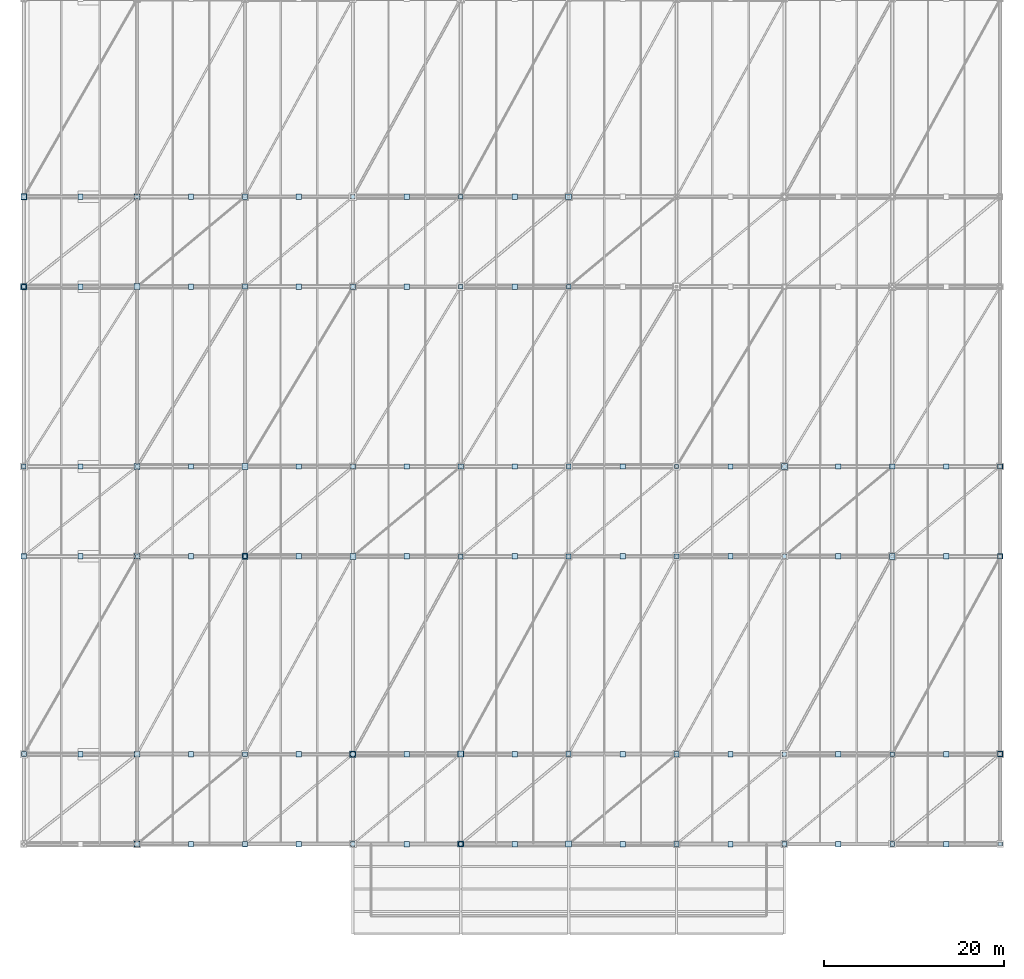
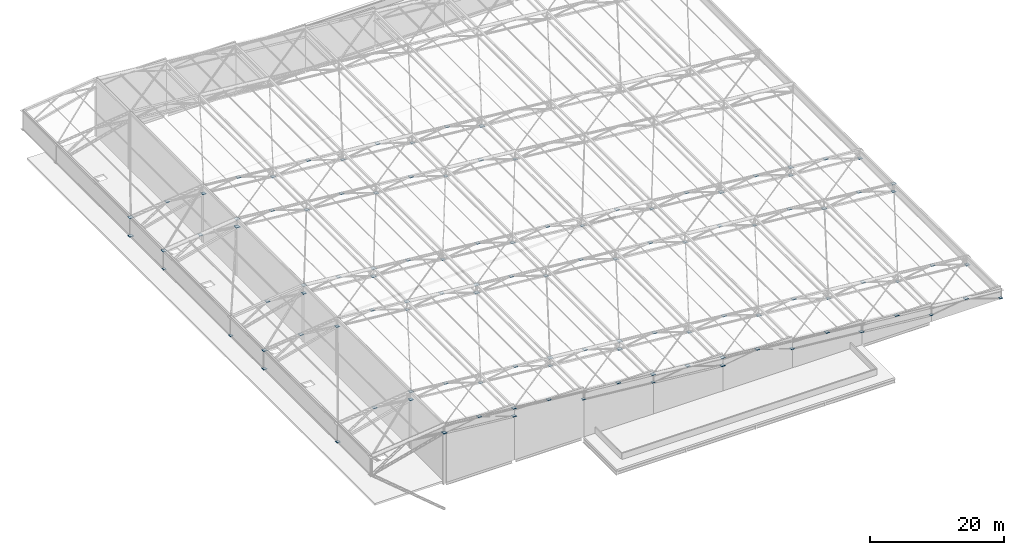
# One storey, part 41 of 44: 122 plates.
"""IFC4 building model written with IfcOpenShell, lengths in metres."""

import ifcopenshell
import ifcopenshell.guid

model = None  # the IFC model being written
_history = None  # IfcOwnerHistory: only IFC2X3 demands one
_inside = {}  # id of a spatial element -> (the spatial element, [elements in it])
_under = {}  # id of a project, library or spatial element -> (it, [spatial elements below it])
_declared = {}  # id of a project -> (the project, [libraries it declares])
_typed = {}  # id of a type object -> (the type object, [elements of that type])
_made_of = {}  # id of a material, layer set ... -> (it, [elements and type objects made of it])


def new_model(schema):
    """Start an empty IFC model of exactly this schema.

    Asked for "IFC4X3", IfcOpenShell would pick the latest addendum, in which some entities
    have other attributes; the version numbers below select the first issue.
    IFC2X3 requires an IfcOwnerHistory on every rooted entity: one is made here for all.
    """
    global model, _history
    if schema == "IFC4X3":
        model = ifcopenshell.file(schema_version=(4, 3, 0, 0))
    else:
        model = ifcopenshell.file(schema=schema)
    _inside.clear()
    _under.clear()
    _declared.clear()
    _typed.clear()
    _made_of.clear()
    _history = None
    if model.schema == "IFC2X3":
        org = make("IfcOrganization", Name="unknown")
        user = make(
            "IfcPersonAndOrganization",
            ThePerson=make("IfcPerson", FamilyName="unknown"),
            TheOrganization=org,
        )
        app = make(
            "IfcApplication",
            ApplicationDeveloper=org,
            Version="unknown",
            ApplicationFullName="unknown",
            ApplicationIdentifier="unknown",
        )
        _history = make(
            "IfcOwnerHistory",
            OwningUser=user,
            OwningApplication=app,
            ChangeAction="ADDED",
            CreationDate=0,
        )
    return model


def make(cls, **values):
    """One entity of the class cls with the attributes given. An attribute that is None is left unset."""
    return model.create_entity(
        cls, **{name: value for name, value in values.items() if value is not None}
    )


def rooted(cls, **values):
    """An entity with a GlobalId (a new one), such as an element, a storey or a relation."""
    return make(cls, GlobalId=ifcopenshell.guid.new(), OwnerHistory=_history, **values)


def si_unit(unit_type, name, prefix=None):
    """IfcSIUnit, for example si_unit("LENGTHUNIT", "METRE", prefix="MILLI")."""
    return make("IfcSIUnit", UnitType=unit_type, Prefix=prefix, Name=name)


def assignment(units):
    """IfcUnitAssignment: the units of a project."""
    return None if units is None else make("IfcUnitAssignment", Units=units)


def point(xyz):
    """IfcCartesianPoint."""
    return None if xyz is None else make("IfcCartesianPoint", Coordinates=xyz)


def direction(xyz):
    """IfcDirection."""
    return None if xyz is None else make("IfcDirection", DirectionRatios=xyz)


def frame(location, z_axis=None, x_axis=None):
    """IfcAxis2Placement3D, a coordinate frame: its origin and axes. An axis left out is left unset."""
    return make(
        "IfcAxis2Placement3D",
        Location=point(location),
        Axis=direction(z_axis),
        RefDirection=direction(x_axis),
    )


def frame_2d(location, x_axis=None):
    """IfcAxis2Placement2D, a coordinate frame in the plane: its origin and x axis."""
    return make(
        "IfcAxis2Placement2D", Location=point(location), RefDirection=direction(x_axis)
    )


def origin():
    """The frame at (0, 0, 0) with its axes left unset."""
    return frame((0.0, 0.0, 0.0))


def origin_2d():
    """The frame at (0, 0) in the plane with its x axis left unset."""
    return frame_2d((0.0, 0.0))


def place(relative_to, where):
    """IfcLocalPlacement: puts the frame where relative to a parent placement (None: the world)."""
    return make(
        "IfcLocalPlacement", PlacementRelTo=relative_to, RelativePlacement=where
    )


def context(
    kind, dimensions, precision=None, world=None, true_north=None, identifier=None
):
    """IfcGeometricRepresentationContext, for example the 3D "Model" context."""
    return make(
        "IfcGeometricRepresentationContext",
        ContextIdentifier=identifier,
        ContextType=kind,
        CoordinateSpaceDimension=dimensions,
        Precision=precision,
        WorldCoordinateSystem=world,
        TrueNorth=true_north,
    )


def subcontext(parent, identifier, kind, view, scale=None):
    """IfcGeometricRepresentationSubContext, for example "Body" below "Model"."""
    return make(
        "IfcGeometricRepresentationSubContext",
        ContextIdentifier=identifier,
        ContextType=kind,
        ParentContext=parent,
        TargetScale=scale,
        TargetView=view,
    )


def project(units=None, contexts=None):
    """IfcProject with its units and contexts."""
    return rooted(
        "IfcProject",
        Name="project",
        RepresentationContexts=contexts,
        UnitsInContext=assignment(units),
    )


def spatial(cls, under=None, at=None, **own):
    """A site, building, storey or space (cls), placed at a placement, below another one or the project."""
    s = rooted(cls, ObjectPlacement=at, **own)
    if under is not None:
        _under.setdefault(under.id(), (under, []))[1].append(s)
    return s


def profile(cls, at=None, kind="AREA", **sizes):
    """A parametric profile (cls). Its sizes go by their IFC names, for example OverallWidth=200.0."""
    return make(cls, ProfileType=kind, Position=at, **sizes)


def rectangle(**sizes):
    """IfcRectangleProfileDef."""
    return profile("IfcRectangleProfileDef", **sizes)


def extrude(swept, where, along, depth):
    """IfcExtrudedAreaSolid: the profile swept, set in the frame where, extruded along a direction by depth."""
    return make(
        "IfcExtrudedAreaSolid",
        SweptArea=swept,
        Position=where,
        ExtrudedDirection=direction(along),
        Depth=depth,
    )


def shape(context_of_items, identifier, shape_type, items):
    """IfcShapeRepresentation: the items that make up one representation, for example the "Body"."""
    return make(
        "IfcShapeRepresentation",
        ContextOfItems=context_of_items,
        RepresentationIdentifier=identifier,
        RepresentationType=shape_type,
        Items=items,
    )


def material(Name=None, Category=None):
    """IfcMaterial."""
    return make("IfcMaterial", Name=Name, Category=Category)


def layer(
    of_material, thickness, ventilated=None, Name=None, Category=None, Priority=None
):
    """IfcMaterialLayer: one layer of a wall or slab, of a material (None: an air gap)."""
    return make(
        "IfcMaterialLayer",
        Material=of_material,
        LayerThickness=thickness,
        IsVentilated=ventilated,
        Name=Name,
        Category=Category,
        Priority=Priority,
    )


def layer_set(layers, Name=None):
    """IfcMaterialLayerSet."""
    return make("IfcMaterialLayerSet", MaterialLayers=layers, LayerSetName=Name)


def made_of(thing, what):
    """Note that an element or type object is made of a material, layer set ...; save() writes the relation."""
    if what is not None:
        _made_of.setdefault(what.id(), (what, []))[1].append(thing)
    return thing


def type_object(cls, material=None, **own):
    """A type object (cls), such as IfcWallType, which elements share."""
    return made_of(rooted(cls, **own), material)


def element(
    cls,
    number,
    at=None,
    inside=None,
    cuts=None,
    type_object=None,
    material=None,
    context=None,
    identifier="Body",
    shape_type=None,
    held_by="IfcProductDefinitionShape",
    body=None,
    shapes=None,
    **own,
):
    """One element of the class cls, such as IfcWall. Its Tag is "e" and its number.

    at: its placement. inside: the storey or other place that contains it. cuts: it is an
    opening in that element (IfcRelVoidsElement). A single representation is given by context,
    identifier, shape_type and body (its items); several are given by shapes. held_by: the class
    of the entity that holds the representations. save() writes the other relations.
    """
    e = rooted(cls, Tag="e%d" % number, ObjectPlacement=at, **own)
    if body is not None:
        shapes = [shape(context, identifier, shape_type, body)]
    if shapes is not None:
        e.Representation = make(held_by, Representations=shapes)
    if inside is not None:
        _inside.setdefault(inside.id(), (inside, []))[1].append(e)
    if cuts is not None:
        rooted(
            "IfcRelVoidsElement", RelatingBuildingElement=cuts, RelatedOpeningElement=e
        )
    if type_object is not None:
        _typed.setdefault(type_object.id(), (type_object, []))[1].append(e)
    return made_of(e, material)


def aggregate(whole, parts):
    """IfcRelAggregates: a whole, such as a stair, and the parts it consists of."""
    return rooted("IfcRelAggregates", RelatingObject=whole, RelatedObjects=parts)


def save(model, path):
    """Write the relations noted so far, then the file.

    IfcRelAggregates (storeys below a building ...), IfcRelContainedInSpatialStructure (elements
    in a storey), IfcRelDefinesByType, IfcRelAssociatesMaterial and IfcRelDeclares: one each for
    every whole, place, type object, material and project.
    """
    for whole, parts in _under.values():
        aggregate(whole, parts)
    for where, things in _inside.values():
        rooted(
            "IfcRelContainedInSpatialStructure",
            RelatedElements=things,
            RelatingStructure=where,
        )
    for kind, things in _typed.values():
        rooted("IfcRelDefinesByType", RelatedObjects=things, RelatingType=kind)
    for what, things in _made_of.values():
        rooted("IfcRelAssociatesMaterial", RelatedObjects=things, RelatingMaterial=what)
    for by, libraries in _declared.values():
        rooted("IfcRelDeclares", RelatingContext=by, RelatedDefinitions=libraries)
    model.write(path)


model = new_model("IFC4")

# Units and contexts
model_context = context("Model", 3, precision=1e-05, world=origin(), true_north=direction((0.0, 1.0)))
body_context = subcontext(model_context, "Body", "Model", "MODEL_VIEW")
ifc_project = project(units=[si_unit("LENGTHUNIT", "METRE"), si_unit("AREAUNIT", "SQUARE_METRE"), si_unit("VOLUMEUNIT", "CUBIC_METRE"), si_unit("PLANEANGLEUNIT", "RADIAN"), si_unit("MASSUNIT", "GRAM", prefix="KILO")], contexts=[model_context])

# Site, building, storey
site_placement = place(None, origin())
site = spatial("IfcSite", under=ifc_project, at=site_placement, CompositionType="ELEMENT")
building_placement = place(site_placement, origin())
building = spatial("IfcBuilding", under=site, at=building_placement, Name="Brinegate Civic Arena", CompositionType="ELEMENT")
storey_placement = place(building_placement, frame((0.0, 0.0, 29.39990234375)))
storey = spatial("IfcBuildingStorey", under=building, at=storey_placement, Name="RF", CompositionType="ELEMENT", Elevation=29.39990234375)

# Plates
ifc_material = material(Name="Steel S355", Category="steel")
ifc_layer_1 = layer(ifc_material, 0.02392578125, Name="Steel S355")
ifc_layer_set_1 = layer_set([ifc_layer_1], Name="Steel S355")
plate_type_1 = type_object("IfcPlateType", Name="PLATE-BASE-480X24", PredefinedType="SHEET", material=ifc_layer_set_1)
for number, where, z_axis, x_axis, name in (
    (1, (96.0, 10.0, 5.713134765625), (0.0, 0.0, 1.0), (1.0, 0.0, 0.0), "Welded Steel Node Cap Plate NPL-B-019"),
    (2, (156.0, 10.0, 0.088134765625), (0.0, 0.0, 1.0), (1.0, 0.0, 0.0), "Welded Steel Node Cap Plate NPL-B-029"),
    (3, (84.0, 20.0, 6.838134765625), (0.0, 0.0, 1.0), (1.0, 0.0, 0.0), "Welded Steel Node Cap Plate NPL-B-046"),
    (4, (144.0, 20.0, 1.213134765625), (0.0, 0.0, 1.0), (1.0, 0.0, 0.0), "Welded Steel Node Cap Plate NPL-B-056"),
    (5, (72.0, 42.0, 7.963134765625), (0.0, 0.0, 1.0), (1.0, 0.0, 0.0), "Welded Steel Node Cap Plate NPL-B-073"),
    (6, (132.0, 42.0, 2.338134765625), (0.0, 0.0, 1.0), (1.0, 0.0, 0.0), "Welded Steel Node Cap Plate NPL-B-083"),
    (7, (60.0, 52.0, 9.088134765625), (0.0, 0.0, 1.0), (1.0, 0.0, 0.0), "Welded Steel Node Cap Plate NPL-B-100"),
    (8, (120.0, 52.0, 3.463134765625), (0.0, 0.0, 1.0), (1.0, 0.0, 0.0), "Welded Steel Node Cap Plate NPL-B-110"),
    (9, (47.39990234375, 72.0, 5.7880859375), (0.0, 0.0, 1.0), (1.0, 0.0, 0.0), "Welded Steel Node Cap Plate NPL-B-127"),
    (10, (108.0, 72.0, 4.588134765625), (0.0, 0.0, 1.0), (1.0, 0.0, 0.0), "Welded Steel Node Cap Plate NPL-B-137"),
    (11, (96.0, 82.0, 5.713134765625), (0.0, 0.0, 1.0), (1.0, 0.0, 0.0), "Welded Steel Node Cap Plate NPL-B-164"),
    (12, (156.0, 10.0, 0.09716796875), (0.0, 0.0, 1.0), (1.0, 0.0, 0.0), "Welded Steel Column Node Cap Plate CPL-TOP-031"),
    (13, (156.0, 20.0, 0.09716796875), (0.0, 0.0, 1.0), (1.0, 0.0, 0.0), "Welded Steel Column Node Cap Plate CPL-TOP-033"),
    (14, (156.0, 42.0, 0.09716796875), (0.0, 0.0, 1.0), (1.0, 0.0, 0.0), "Welded Steel Column Node Cap Plate CPL-TOP-035"),
    (15, (156.0, 52.0, 0.09716796875), (0.0, 0.0, 1.0), (1.0, 0.0, 0.0), "Welded Steel Column Node Cap Plate CPL-TOP-037"),
):
    element("IfcPlate", number, at=place(storey_placement, frame(where, z_axis=z_axis, x_axis=x_axis)), inside=storey, type_object=plate_type_1, Name=name, PredefinedType="SHEET", context=body_context, shape_type="SweptSolid", body=[
        extrude(rectangle(XDim=0.47998046875, YDim=0.47998046875, at=origin_2d()), origin(), (0.0, 0.0, 1.0), 0.02392578125),
    ])
ifc_layer_2 = layer(ifc_material, 0.02587890625, Name="Steel S355")
ifc_layer_set_2 = layer_set([ifc_layer_2], Name="Steel S355")
plate_type_2 = type_object("IfcPlateType", Name="PLATE-BASE-640X26", PredefinedType="SHEET", material=ifc_layer_set_2)
for number, where, z_axis, x_axis, name in (
    (16, (60.0, 10.0, 9.09716796875), (0.0, 0.0, 1.0), (1.0, 0.0, 0.0), "Welded Steel Column Node Cap Plate CPL-TOP-030"),
    (17, (60.0, 20.0, 9.09716796875), (0.0, 0.0, 1.0), (1.0, 0.0, 0.0), "Welded Steel Column Node Cap Plate CPL-TOP-032"),
    (18, (60.0, 42.0, 9.09716796875), (0.0, 0.0, 1.0), (1.0, 0.0, 0.0), "Welded Steel Column Node Cap Plate CPL-TOP-034"),
    (19, (60.0, 52.0, 9.09716796875), (0.0, 0.0, 1.0), (1.0, 0.0, 0.0), "Welded Steel Column Node Cap Plate CPL-TOP-036"),
    (20, (60.0, 72.0, 9.09716796875), (0.0, 0.0, 1.0), (1.0, 0.0, 0.0), "Welded Steel Column Node Cap Plate CPL-TOP-038"),
    (21, (60.0, 82.0, 9.09716796875), (0.0, 0.0, 1.0), (1.0, 0.0, 0.0), "Welded Steel Column Node Cap Plate CPL-TOP-040"),
):
    element("IfcPlate", number, at=place(storey_placement, frame(where, z_axis=z_axis, x_axis=x_axis)), inside=storey, type_object=plate_type_2, Name=name, PredefinedType="SHEET", context=body_context, shape_type="SweptSolid", body=[
        extrude(rectangle(XDim=0.639892578125, YDim=0.639892578125, at=origin_2d()), origin(), (0.0, 0.0, 1.0), 0.02587890625),
    ])
ifc_layer_3 = layer(ifc_material, 0.02001953125, Name="Steel S355")
ifc_layer_set_3 = layer_set([ifc_layer_3], Name="Steel S355")
plate_type_3 = type_object("IfcPlateType", Name="PLATE-CAP-520X20", PredefinedType="SHEET", material=ifc_layer_set_3)
for number, where, z_axis, x_axis, name in (
    (22, (84.0, 10.0, 6.840087890625), (0.0, 0.0, 1.0), (1.0, 0.0, 0.0), "Welded Steel Node Cap Plate NPL-B-017"),
    (23, (144.0, 10.0, 1.215087890625), (0.0, 0.0, 1.0), (1.0, 0.0, 0.0), "Welded Steel Node Cap Plate NPL-B-027"),
    (24, (72.0, 20.0, 7.965087890625), (0.0, 0.0, 1.0), (1.0, 0.0, 0.0), "Welded Steel Node Cap Plate NPL-B-044"),
    (25, (132.0, 20.0, 2.340087890625), (0.0, 0.0, 1.0), (1.0, 0.0, 0.0), "Welded Steel Node Cap Plate NPL-B-054"),
    (26, (60.0, 42.0, 9.090087890625), (0.0, 0.0, 1.0), (1.0, 0.0, 0.0), "Welded Steel Node Cap Plate NPL-B-071"),
    (27, (120.0, 42.0, 3.465087890625), (0.0, 0.0, 1.0), (1.0, 0.0, 0.0), "Welded Steel Node Cap Plate NPL-B-081"),
    (28, (47.39990234375, 52.0, 5.7900390625), (0.0, 0.0, 1.0), (1.0, 0.0, 0.0), "Welded Steel Node Cap Plate NPL-B-098"),
    (29, (108.0, 52.0, 4.590087890625), (0.0, 0.0, 1.0), (1.0, 0.0, 0.0), "Welded Steel Node Cap Plate NPL-B-108"),
    (30, (96.0, 72.0, 5.715087890625), (0.0, 0.0, 1.0), (1.0, 0.0, 0.0), "Welded Steel Node Cap Plate NPL-B-135"),
    (31, (84.0, 82.0, 6.840087890625), (0.0, 0.0, 1.0), (1.0, 0.0, 0.0), "Welded Steel Node Cap Plate NPL-B-162"),
):
    element("IfcPlate", number, at=place(storey_placement, frame(where, z_axis=z_axis, x_axis=x_axis)), inside=storey, type_object=plate_type_3, Name=name, PredefinedType="SHEET", context=body_context, shape_type="SweptSolid", body=[
        extrude(rectangle(XDim=0.52001953125, YDim=0.52001953125, at=origin_2d()), origin(), (0.0, 0.0, 1.0), 0.02001953125),
    ])
ifc_layer_4 = layer(ifc_material, 0.02392578125, Name="Steel S355")
ifc_layer_set_4 = layer_set([ifc_layer_4], Name="Steel S355")
plate_type_4 = type_object("IfcPlateType", Name="PLATE-CAP-550X24", PredefinedType="SHEET", material=ifc_layer_set_4)
for number, where, z_axis, x_axis, name in (
    (32, (60.0, 10.0, 9.088134765625), (0.0, 0.0, 1.0), (1.0, 0.0, 0.0), "Welded Steel Node Cap Plate NPL-B-013"),
    (33, (120.0, 10.0, 3.463134765625), (0.0, 0.0, 1.0), (1.0, 0.0, 0.0), "Welded Steel Node Cap Plate NPL-B-023"),
    (34, (47.39990234375, 20.0, 5.7880859375), (0.0, 0.0, 1.0), (1.0, 0.0, 0.0), "Welded Steel Node Cap Plate NPL-B-040"),
    (35, (108.0, 20.0, 4.588134765625), (0.0, 0.0, 1.0), (1.0, 0.0, 0.0), "Welded Steel Node Cap Plate NPL-B-050"),
    (36, (96.0, 42.0, 5.713134765625), (0.0, 0.0, 1.0), (1.0, 0.0, 0.0), "Welded Steel Node Cap Plate NPL-B-077"),
    (37, (156.0, 42.0, 0.088134765625), (0.0, 0.0, 1.0), (1.0, 0.0, 0.0), "Welded Steel Node Cap Plate NPL-B-087"),
    (38, (84.0, 52.0, 6.838134765625), (0.0, 0.0, 1.0), (1.0, 0.0, 0.0), "Welded Steel Node Cap Plate NPL-B-104"),
    (39, (144.0, 52.0, 1.213134765625), (0.0, 0.0, 1.0), (1.0, 0.0, 0.0), "Welded Steel Node Cap Plate NPL-B-114"),
    (40, (72.0, 72.0, 7.963134765625), (0.0, 0.0, 1.0), (1.0, 0.0, 0.0), "Welded Steel Node Cap Plate NPL-B-131"),
    (41, (60.0, 82.0, 9.088134765625), (0.0, 0.0, 1.0), (1.0, 0.0, 0.0), "Welded Steel Node Cap Plate NPL-B-158"),
):
    element("IfcPlate", number, at=place(storey_placement, frame(where, z_axis=z_axis, x_axis=x_axis)), inside=storey, type_object=plate_type_4, Name=name, PredefinedType="SHEET", context=body_context, shape_type="SweptSolid", body=[
        extrude(rectangle(XDim=0.550048828125, YDim=0.550048828125, at=origin_2d()), origin(), (0.0, 0.0, 1.0), 0.02392578125),
    ])
ifc_layer_5 = layer(ifc_material, 0.02197265625, Name="Steel S355")
ifc_layer_set_5 = layer_set([ifc_layer_5], Name="Steel S355")
plate_type_5 = type_object("IfcPlateType", Name="PLATE-CAP-580X22", PredefinedType="SHEET", material=ifc_layer_set_5)
for number, where, z_axis, x_axis, name in (
    (42, (72.0, 10.0, 7.964111328125), (0.0, 0.0, 1.0), (1.0, 0.0, 0.0), "Welded Steel Node Cap Plate NPL-B-015"),
    (43, (132.0, 10.0, 2.339111328125), (0.0, 0.0, 1.0), (1.0, 0.0, 0.0), "Welded Steel Node Cap Plate NPL-B-025"),
    (44, (60.0, 20.0, 9.089111328125), (0.0, 0.0, 1.0), (1.0, 0.0, 0.0), "Welded Steel Node Cap Plate NPL-B-042"),
    (45, (120.0, 20.0, 3.464111328125), (0.0, 0.0, 1.0), (1.0, 0.0, 0.0), "Welded Steel Node Cap Plate NPL-B-052"),
    (46, (47.39990234375, 42.0, 5.7890625), (0.0, 0.0, 1.0), (1.0, 0.0, 0.0), "Welded Steel Node Cap Plate NPL-B-069"),
    (47, (108.0, 42.0, 4.589111328125), (0.0, 0.0, 1.0), (1.0, 0.0, 0.0), "Welded Steel Node Cap Plate NPL-B-079"),
    (48, (96.0, 52.0, 5.714111328125), (0.0, 0.0, 1.0), (1.0, 0.0, 0.0), "Welded Steel Node Cap Plate NPL-B-106"),
    (49, (156.0, 52.0, 0.089111328125), (0.0, 0.0, 1.0), (1.0, 0.0, 0.0), "Welded Steel Node Cap Plate NPL-B-116"),
    (50, (84.0, 72.0, 6.839111328125), (0.0, 0.0, 1.0), (1.0, 0.0, 0.0), "Welded Steel Node Cap Plate NPL-B-133"),
    (51, (72.0, 82.0, 7.964111328125), (0.0, 0.0, 1.0), (1.0, 0.0, 0.0), "Welded Steel Node Cap Plate NPL-B-160"),
):
    element("IfcPlate", number, at=place(storey_placement, frame(where, z_axis=z_axis, x_axis=x_axis)), inside=storey, type_object=plate_type_5, Name=name, PredefinedType="SHEET", context=body_context, shape_type="SweptSolid", body=[
        extrude(rectangle(XDim=0.580078125, YDim=0.580078125, at=origin_2d()), origin(), (0.0, 0.0, 1.0), 0.02197265625),
    ])
ifc_layer_6 = layer(ifc_material, 0.02587890625, Name="Steel S355")
ifc_layer_set_6 = layer_set([ifc_layer_6], Name="Steel S355")
plate_type_6 = type_object("IfcPlateType", Name="PLATE-NODE-600X26", PredefinedType="SHEET", material=ifc_layer_set_6)
for number, where, z_axis, x_axis, name in (
    (52, (66.0, 10.0, 9.97509765625), (0.0, 0.0, 1.0), (1.0, 0.0, 0.0), "Welded Steel Node Cap Plate NPL-M-002"),
    (53, (78.0, 10.0, 8.85009765625), (0.0, 0.0, 1.0), (1.0, 0.0, 0.0), "Welded Steel Node Cap Plate NPL-M-003"),
    (54, (90.0, 10.0, 7.72509765625), (0.0, 0.0, 1.0), (1.0, 0.0, 0.0), "Welded Steel Node Cap Plate NPL-M-004"),
    (55, (102.0, 10.0, 6.60009765625), (0.0, 0.0, 1.0), (1.0, 0.0, 0.0), "Welded Steel Node Cap Plate NPL-M-005"),
    (56, (114.0, 10.0, 5.47509765625), (0.0, 0.0, 1.0), (1.0, 0.0, 0.0), "Welded Steel Node Cap Plate NPL-M-006"),
    (57, (126.0, 10.0, 4.35009765625), (0.0, 0.0, 1.0), (1.0, 0.0, 0.0), "Welded Steel Node Cap Plate NPL-M-007"),
    (58, (138.0, 10.0, 3.22509765625), (0.0, 0.0, 1.0), (1.0, 0.0, 0.0), "Welded Steel Node Cap Plate NPL-M-008"),
    (59, (150.0, 10.0, 2.10009765625), (0.0, 0.0, 1.0), (1.0, 0.0, 0.0), "Welded Steel Node Cap Plate NPL-M-009"),
    (60, (72.0, 10.0, 9.412109375), (0.0, 0.0, 1.0), (1.0, 0.0, 0.0), "Welded Steel Node Cap Plate NPL-T-014"),
    (61, (53.699951171875, 20.0, 9.837158203125), (0.0, 0.0, 1.0), (1.0, 0.0, 0.0), "Welded Steel Node Cap Plate NPL-M-030"),
    (62, (66.0, 20.0, 9.97509765625), (0.0, 0.0, 1.0), (1.0, 0.0, 0.0), "Welded Steel Node Cap Plate NPL-M-031"),
    (63, (78.0, 20.0, 8.85009765625), (0.0, 0.0, 1.0), (1.0, 0.0, 0.0), "Welded Steel Node Cap Plate NPL-M-032"),
    (64, (90.0, 20.0, 7.72509765625), (0.0, 0.0, 1.0), (1.0, 0.0, 0.0), "Welded Steel Node Cap Plate NPL-M-033"),
    (65, (102.0, 20.0, 6.60009765625), (0.0, 0.0, 1.0), (1.0, 0.0, 0.0), "Welded Steel Node Cap Plate NPL-M-034"),
    (66, (114.0, 20.0, 5.47509765625), (0.0, 0.0, 1.0), (1.0, 0.0, 0.0), "Welded Steel Node Cap Plate NPL-M-035"),
    (67, (126.0, 20.0, 4.35009765625), (0.0, 0.0, 1.0), (1.0, 0.0, 0.0), "Welded Steel Node Cap Plate NPL-M-036"),
    (68, (138.0, 20.0, 3.22509765625), (0.0, 0.0, 1.0), (1.0, 0.0, 0.0), "Welded Steel Node Cap Plate NPL-M-037"),
    (69, (150.0, 20.0, 2.10009765625), (0.0, 0.0, 1.0), (1.0, 0.0, 0.0), "Welded Steel Node Cap Plate NPL-M-038"),
    (70, (60.0, 20.0, 10.537109375), (0.0, 0.0, 1.0), (1.0, 0.0, 0.0), "Welded Steel Node Cap Plate NPL-T-041"),
    (71, (53.699951171875, 42.0, 9.837158203125), (0.0, 0.0, 1.0), (1.0, 0.0, 0.0), "Welded Steel Node Cap Plate NPL-M-059"),
    (72, (66.0, 42.0, 9.97509765625), (0.0, 0.0, 1.0), (1.0, 0.0, 0.0), "Welded Steel Node Cap Plate NPL-M-060"),
    (73, (78.0, 42.0, 8.85009765625), (0.0, 0.0, 1.0), (1.0, 0.0, 0.0), "Welded Steel Node Cap Plate NPL-M-061"),
    (74, (90.0, 42.0, 7.72509765625), (0.0, 0.0, 1.0), (1.0, 0.0, 0.0), "Welded Steel Node Cap Plate NPL-M-062"),
    (75, (102.0, 42.0, 6.60009765625), (0.0, 0.0, 1.0), (1.0, 0.0, 0.0), "Welded Steel Node Cap Plate NPL-M-063"),
    (76, (114.0, 42.0, 5.47509765625), (0.0, 0.0, 1.0), (1.0, 0.0, 0.0), "Welded Steel Node Cap Plate NPL-M-064"),
    (77, (126.0, 42.0, 4.35009765625), (0.0, 0.0, 1.0), (1.0, 0.0, 0.0), "Welded Steel Node Cap Plate NPL-M-065"),
    (78, (138.0, 42.0, 3.22509765625), (0.0, 0.0, 1.0), (1.0, 0.0, 0.0), "Welded Steel Node Cap Plate NPL-M-066"),
    (79, (150.0, 42.0, 2.10009765625), (0.0, 0.0, 1.0), (1.0, 0.0, 0.0), "Welded Steel Node Cap Plate NPL-M-067"),
    (80, (47.39990234375, 42.0, 9.13720703125), (0.0, 0.0, 1.0), (1.0, 0.0, 0.0), "Welded Steel Node Cap Plate NPL-T-068"),
    (81, (156.0, 42.0, 1.537109375), (0.0, 0.0, 1.0), (1.0, 0.0, 0.0), "Welded Steel Node Cap Plate NPL-T-086"),
    (82, (53.699951171875, 52.0, 9.837158203125), (0.0, 0.0, 1.0), (1.0, 0.0, 0.0), "Welded Steel Node Cap Plate NPL-M-088"),
    (83, (66.0, 52.0, 9.97509765625), (0.0, 0.0, 1.0), (1.0, 0.0, 0.0), "Welded Steel Node Cap Plate NPL-M-089"),
    (84, (78.0, 52.0, 8.85009765625), (0.0, 0.0, 1.0), (1.0, 0.0, 0.0), "Welded Steel Node Cap Plate NPL-M-090"),
    (85, (90.0, 52.0, 7.72509765625), (0.0, 0.0, 1.0), (1.0, 0.0, 0.0), "Welded Steel Node Cap Plate NPL-M-091"),
    (86, (102.0, 52.0, 6.60009765625), (0.0, 0.0, 1.0), (1.0, 0.0, 0.0), "Welded Steel Node Cap Plate NPL-M-092"),
    (87, (114.0, 52.0, 5.47509765625), (0.0, 0.0, 1.0), (1.0, 0.0, 0.0), "Welded Steel Node Cap Plate NPL-M-093"),
    (88, (126.0, 52.0, 4.35009765625), (0.0, 0.0, 1.0), (1.0, 0.0, 0.0), "Welded Steel Node Cap Plate NPL-M-094"),
    (89, (138.0, 52.0, 3.22509765625), (0.0, 0.0, 1.0), (1.0, 0.0, 0.0), "Welded Steel Node Cap Plate NPL-M-095"),
    (90, (150.0, 52.0, 2.10009765625), (0.0, 0.0, 1.0), (1.0, 0.0, 0.0), "Welded Steel Node Cap Plate NPL-M-096"),
    (91, (144.0, 52.0, 2.662109375), (0.0, 0.0, 1.0), (1.0, 0.0, 0.0), "Welded Steel Node Cap Plate NPL-T-113"),
    (92, (53.699951171875, 72.0, 9.837158203125), (0.0, 0.0, 1.0), (1.0, 0.0, 0.0), "Welded Steel Node Cap Plate NPL-M-117"),
    (93, (66.0, 72.0, 9.97509765625), (0.0, 0.0, 1.0), (1.0, 0.0, 0.0), "Welded Steel Node Cap Plate NPL-M-118"),
    (94, (78.0, 72.0, 8.85009765625), (0.0, 0.0, 1.0), (1.0, 0.0, 0.0), "Welded Steel Node Cap Plate NPL-M-119"),
    (95, (90.0, 72.0, 7.72509765625), (0.0, 0.0, 1.0), (1.0, 0.0, 0.0), "Welded Steel Node Cap Plate NPL-M-120"),
    (96, (102.0, 72.0, 6.60009765625), (0.0, 0.0, 1.0), (1.0, 0.0, 0.0), "Welded Steel Node Cap Plate NPL-M-121"),
    (97, (53.699951171875, 82.0, 9.837158203125), (0.0, 0.0, 1.0), (1.0, 0.0, 0.0), "Welded Steel Node Cap Plate NPL-M-146"),
    (98, (66.0, 82.0, 9.97509765625), (0.0, 0.0, 1.0), (1.0, 0.0, 0.0), "Welded Steel Node Cap Plate NPL-M-147"),
    (99, (78.0, 82.0, 8.85009765625), (0.0, 0.0, 1.0), (1.0, 0.0, 0.0), "Welded Steel Node Cap Plate NPL-M-148"),
    (100, (90.0, 82.0, 7.72509765625), (0.0, 0.0, 1.0), (1.0, 0.0, 0.0), "Welded Steel Node Cap Plate NPL-M-149"),
    (101, (102.0, 82.0, 6.60009765625), (0.0, 0.0, 1.0), (1.0, 0.0, 0.0), "Welded Steel Node Cap Plate NPL-M-150"),
):
    element("IfcPlate", number, at=place(storey_placement, frame(where, z_axis=z_axis, x_axis=x_axis)), inside=storey, type_object=plate_type_6, Name=name, PredefinedType="SHEET", context=body_context, shape_type="SweptSolid", body=[
        extrude(rectangle(XDim=0.60009765625, YDim=0.60009765625, at=origin_2d()), origin(), (0.0, 0.0, 1.0), 0.02587890625),
    ])
ifc_layer_7 = layer(ifc_material, 0.02392578125, Name="Steel S355")
ifc_layer_set_7 = layer_set([ifc_layer_7], Name="Steel S355")
plate_type_7 = type_object("IfcPlateType", Name="PLATE-NODE-650X24", PredefinedType="SHEET", material=ifc_layer_set_7)
for number, where, z_axis, x_axis, name in (
    (102, (108.0, 10.0, 4.588134765625), (0.0, 0.0, 1.0), (1.0, 0.0, 0.0), "Welded Steel Node Cap Plate NPL-B-021"),
    (103, (96.0, 20.0, 5.713134765625), (0.0, 0.0, 1.0), (1.0, 0.0, 0.0), "Welded Steel Node Cap Plate NPL-B-048"),
    (104, (156.0, 20.0, 0.088134765625), (0.0, 0.0, 1.0), (1.0, 0.0, 0.0), "Welded Steel Node Cap Plate NPL-B-058"),
    (105, (84.0, 42.0, 6.838134765625), (0.0, 0.0, 1.0), (1.0, 0.0, 0.0), "Welded Steel Node Cap Plate NPL-B-075"),
    (106, (144.0, 42.0, 1.213134765625), (0.0, 0.0, 1.0), (1.0, 0.0, 0.0), "Welded Steel Node Cap Plate NPL-B-085"),
    (107, (72.0, 52.0, 7.963134765625), (0.0, 0.0, 1.0), (1.0, 0.0, 0.0), "Welded Steel Node Cap Plate NPL-B-102"),
    (108, (132.0, 52.0, 2.338134765625), (0.0, 0.0, 1.0), (1.0, 0.0, 0.0), "Welded Steel Node Cap Plate NPL-B-112"),
    (109, (60.0, 72.0, 9.088134765625), (0.0, 0.0, 1.0), (1.0, 0.0, 0.0), "Welded Steel Node Cap Plate NPL-B-129"),
    (110, (47.39990234375, 82.0, 5.7880859375), (0.0, 0.0, 1.0), (1.0, 0.0, 0.0), "Welded Steel Node Cap Plate NPL-B-156"),
    (111, (108.0, 82.0, 4.588134765625), (0.0, 0.0, 1.0), (1.0, 0.0, 0.0), "Welded Steel Node Cap Plate NPL-B-166"),
):
    element("IfcPlate", number, at=place(storey_placement, frame(where, z_axis=z_axis, x_axis=x_axis)), inside=storey, type_object=plate_type_7, Name=name, PredefinedType="SHEET", context=body_context, shape_type="SweptSolid", body=[
        extrude(rectangle(XDim=0.64990234375, YDim=0.64990234375, at=origin_2d()), origin(), (0.0, 0.0, 1.0), 0.02392578125),
    ])
ifc_layer_8 = layer(ifc_material, 0.02392578125, Name="Steel S355")
ifc_layer_set_8 = layer_set([ifc_layer_8], Name="Steel S355")
plate_type_8 = type_object("IfcPlateType", Name="PLATE-NODE-680X24", PredefinedType="SHEET", material=ifc_layer_set_8)
for number, where, z_axis, x_axis, name in (
    (112, (108.0, 10.0, 6.0380859375), (0.0, 0.0, 1.0), (1.0, 0.0, 0.0), "Welded Steel Node Cap Plate NPL-T-020"),
    (113, (96.0, 20.0, 7.1630859375), (0.0, 0.0, 1.0), (1.0, 0.0, 0.0), "Welded Steel Node Cap Plate NPL-T-047"),
    (114, (84.0, 42.0, 8.2880859375), (0.0, 0.0, 1.0), (1.0, 0.0, 0.0), "Welded Steel Node Cap Plate NPL-T-074"),
    (115, (72.0, 52.0, 9.4130859375), (0.0, 0.0, 1.0), (1.0, 0.0, 0.0), "Welded Steel Node Cap Plate NPL-T-101"),
    (116, (60.0, 72.0, 10.5380859375), (0.0, 0.0, 1.0), (1.0, 0.0, 0.0), "Welded Steel Node Cap Plate NPL-T-128"),
    (117, (47.39990234375, 82.0, 9.13818359375), (0.0, 0.0, 1.0), (1.0, 0.0, 0.0), "Welded Steel Node Cap Plate NPL-T-155"),
):
    element("IfcPlate", number, at=place(storey_placement, frame(where, z_axis=z_axis, x_axis=x_axis)), inside=storey, type_object=plate_type_8, Name=name, PredefinedType="SHEET", context=body_context, shape_type="SweptSolid", body=[
        extrude(rectangle(XDim=0.679931640625, YDim=0.679931640625, at=origin_2d()), origin(), (0.0, 0.0, 1.0), 0.02392578125),
    ])
ifc_layer_9 = layer(ifc_material, 0.02587890625, Name="Steel S355")
ifc_layer_set_9 = layer_set([ifc_layer_9], Name="Steel S355")
plate_type_9 = type_object("IfcPlateType", Name="PLATE-NODE-700X26", PredefinedType="SHEET", material=ifc_layer_set_9)
for number, where, z_axis, x_axis, name in (
    (118, (96.0, 10.0, 7.162109375), (0.0, 0.0, 1.0), (1.0, 0.0, 0.0), "Welded Steel Node Cap Plate NPL-T-018"),
    (119, (84.0, 20.0, 8.287109375), (0.0, 0.0, 1.0), (1.0, 0.0, 0.0), "Welded Steel Node Cap Plate NPL-T-045"),
    (120, (72.0, 42.0, 9.412109375), (0.0, 0.0, 1.0), (1.0, 0.0, 0.0), "Welded Steel Node Cap Plate NPL-T-072"),
    (121, (60.0, 52.0, 10.537109375), (0.0, 0.0, 1.0), (1.0, 0.0, 0.0), "Welded Steel Node Cap Plate NPL-T-099"),
    (122, (47.39990234375, 72.0, 9.13720703125), (0.0, 0.0, 1.0), (1.0, 0.0, 0.0), "Welded Steel Node Cap Plate NPL-T-126"),
):
    element("IfcPlate", number, at=place(storey_placement, frame(where, z_axis=z_axis, x_axis=x_axis)), inside=storey, type_object=plate_type_9, Name=name, PredefinedType="SHEET", context=body_context, shape_type="SweptSolid", body=[
        extrude(rectangle(XDim=0.699951171875, YDim=0.699951171875, at=origin_2d()), origin(), (0.0, 0.0, 1.0), 0.02587890625),
    ])

save(model, "model.ifc")
